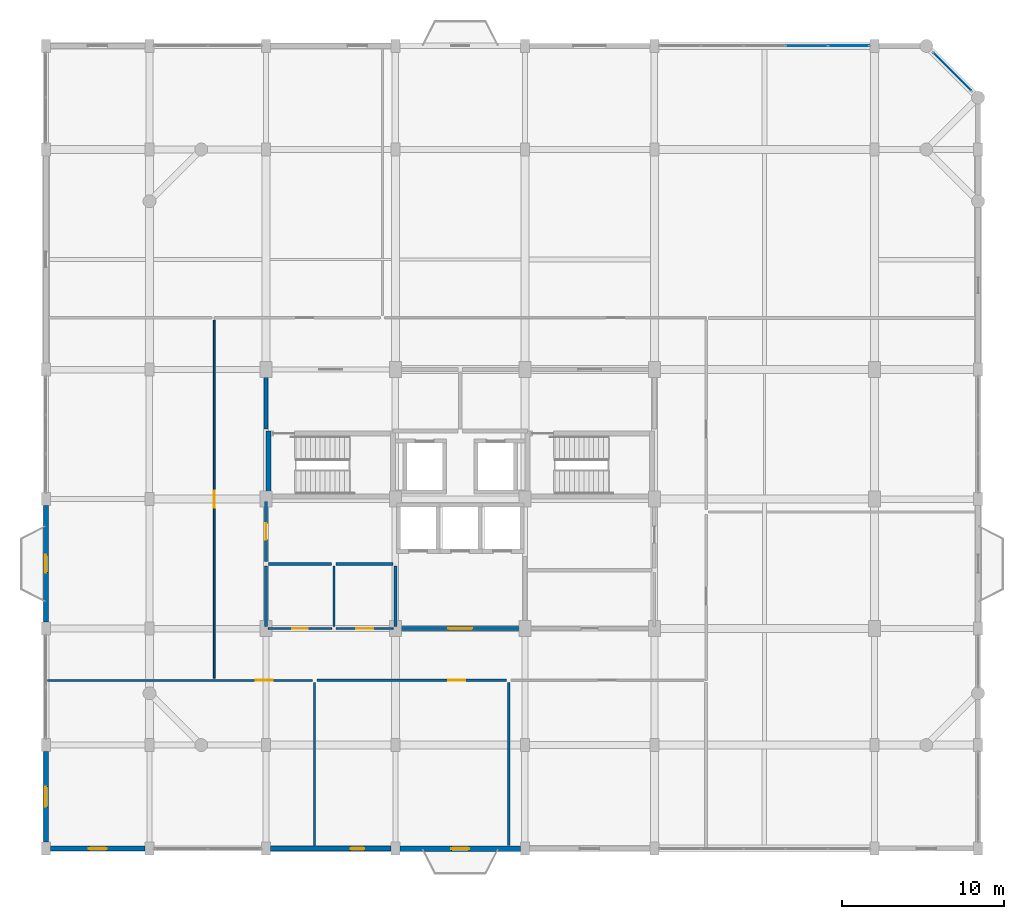
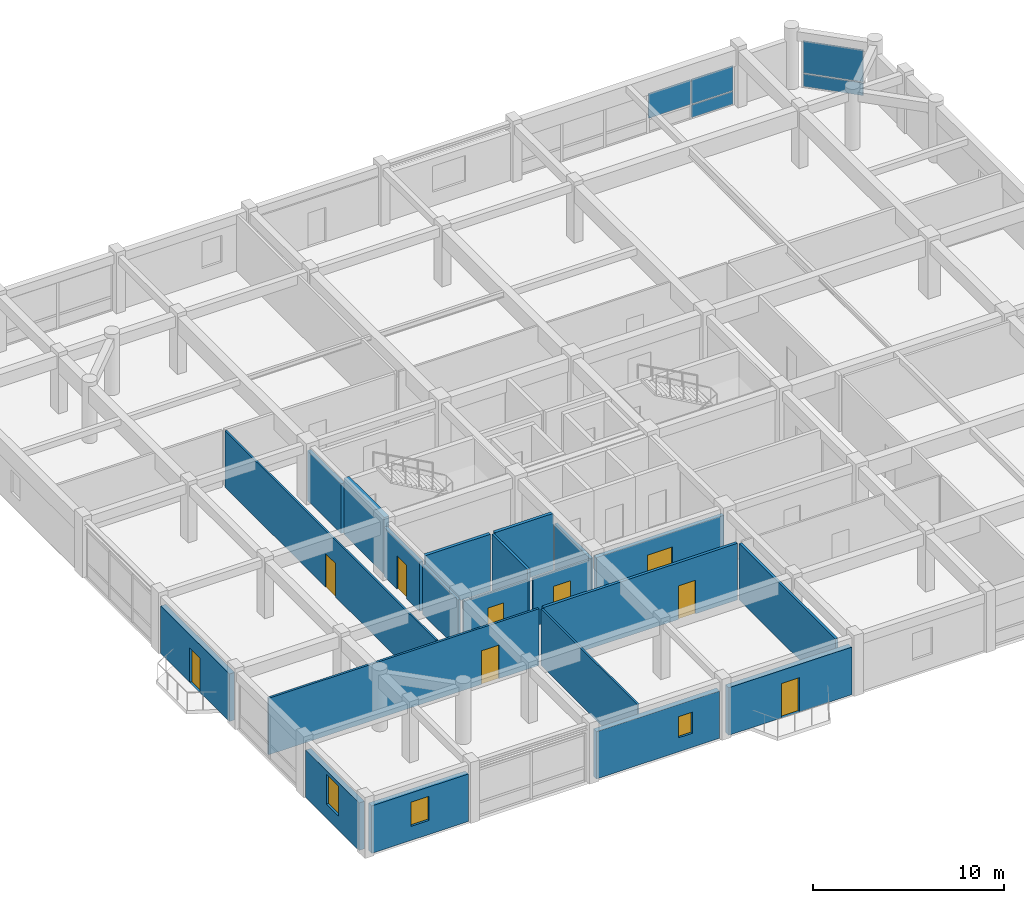
# One storey, part 11 of 15: 21 walls, 9 doors, 5 plates, 3 windows, 12 openings, 2 elements without a shape of their own.
"""IFC4 building model written with IfcOpenShell, lengths in metres."""

from ifc_helpers import new_model, si_unit, direction, frame, frame_2d, origin, origin_2d, place, context, subcontext, project, spatial, rectangle, extrude, material, layer, layer_set, type_object, element, fill, aggregate, save


model = new_model("IFC4")

# Units and contexts
model_context = context("Model", 3, precision=1e-05, world=origin(), true_north=direction((0.0, 1.0)))
body_context = subcontext(model_context, "Body", "Model", "MODEL_VIEW")
ifc_project = project(units=[si_unit("LENGTHUNIT", "METRE"), si_unit("AREAUNIT", "SQUARE_METRE"), si_unit("VOLUMEUNIT", "CUBIC_METRE"), si_unit("PLANEANGLEUNIT", "RADIAN"), si_unit("MASSUNIT", "GRAM", prefix="KILO")], contexts=[model_context])

# Site, building, storey
site_placement = place(None, origin())
site = spatial("IfcSite", under=ifc_project, at=site_placement, CompositionType="ELEMENT")
building_placement = place(site_placement, origin())
building = spatial("IfcBuilding", under=site, at=building_placement, Name="Vellmiral Cinema and Media Centre", CompositionType="ELEMENT")
storey_placement = place(building_placement, frame((0.0, 0.0, 31.699951171875)))
storey = spatial("IfcBuildingStorey", under=building, at=storey_placement, Name="L07", CompositionType="ELEMENT", Elevation=31.699951171875)

# Curtain wall, plate
ifc_material_1 = material(Name="Thermally Broken Aluminium and Triple Glazing", Category="aluminium")
curtain_wall_type = type_object("IfcCurtainWallType", Name="CW-TOWER-LOW-S", PredefinedType="USERDEFINED", material=ifc_material_1)
curtain_wall_1_placement = place(storey_placement, origin())
curtain_wall_1 = element("IfcCurtainWall", 1, at=curtain_wall_1_placement, inside=storey, type_object=curtain_wall_type, Name="Curtain Wall L07-B016", ObjectType="UNITISED CURTAIN WALL", PredefinedType="USERDEFINED")
ifc_material_2 = material(Name="Solar-Control Acoustic Triple Glazing", Category="glass")
ifc_layer_1 = layer(ifc_material_2, 0.0419921875, Name="Solar-Control Acoustic Triple Glazing")
ifc_layer_set_1 = layer_set([ifc_layer_1], Name="Solar-Control Acoustic Triple Glazing")
plate_type_1 = type_object("IfcPlateType", Name="CWP-SOLAR-42", PredefinedType="CURTAIN_PANEL", material=ifc_layer_set_1)
plate_1_placement = place(storey_placement, frame((166.39990234375, 113.60009765625, 0.9326171875), z_axis=(0.0, 0.0, 1.0), x_axis=(-0.707106781187, 0.707106781187, 0.0)))
plate_1 = element("IfcPlate", 2, at=plate_1_placement, type_object=plate_type_1, Name="CW-06 panel 1.2", PredefinedType="CURTAIN_PANEL", context=body_context, shape_type="SweptSolid", body=[
    extrude(rectangle(XDim=3.26416015625, YDim=0.0419921875, at=origin_2d()), origin(), (0.0, 0.0, 1.0), 2.04248046875),
])

# Curtain wall, plates
curtain_wall_2_placement = place(storey_placement, origin())
curtain_wall_2 = element("IfcCurtainWall", 3, at=curtain_wall_2_placement, inside=storey, type_object=curtain_wall_type, Name="Curtain Wall L07-B018", ObjectType="UNITISED CURTAIN WALL", PredefinedType="USERDEFINED")
plate_2_placement = place(storey_placement, frame((160.003662109375, 115.199951171875, 0.9326171875), z_axis=(0.0, 0.0, 1.0), x_axis=(-1.0, 0.0, 0.0)))
plate_2 = element("IfcPlate", 4, at=plate_2_placement, type_object=plate_type_1, Name="CW-06 panel 1.2", PredefinedType="CURTAIN_PANEL", context=body_context, shape_type="SweptSolid", body=[
    extrude(rectangle(XDim=2.512451171875, YDim=0.0419921875, at=origin_2d()), origin(), (0.0, 0.0, 1.0), 1.577392578125),
])
plate_3_placement = place(storey_placement, frame((157.409912109375, 115.199951171875, 0.9326171875), z_axis=(0.0, 0.0, 1.0), x_axis=(-1.0, 0.0, 0.0)))
plate_3 = element("IfcPlate", 5, at=plate_3_placement, type_object=plate_type_1, Name="CW-06 panel 2.2", PredefinedType="CURTAIN_PANEL", context=body_context, shape_type="SweptSolid", body=[
    extrude(rectangle(XDim=2.544921875, YDim=0.0419921875, at=origin_2d()), origin(), (0.0, 0.0, 1.0), 1.577392578125),
])

# Plate
ifc_material_3 = material(Name="Polychrome Trencadis Ceramic Spandrel Panel", Category="ceramic")
ifc_layer_2 = layer(ifc_material_3, 0.052001953125, Name="Polychrome Trencadis Ceramic Spandrel Panel")
ifc_layer_set_2 = layer_set([ifc_layer_2], Name="Polychrome Trencadis Ceramic Spandrel Panel")
plate_type_2 = type_object("IfcPlateType", Name="CWP-TRENC-52", PredefinedType="CURTAIN_PANEL", material=ifc_layer_set_2)
plate_4_placement = place(storey_placement, frame((166.39990234375, 113.60009765625, 0.06494140625), z_axis=(0.0, 0.0, 1.0), x_axis=(-0.707106781187, 0.707106781187, 0.0)))
plate_4 = element("IfcPlate", 6, at=plate_4_placement, type_object=plate_type_2, Name="CW-06 panel 1.1", PredefinedType="CURTAIN_PANEL", context=body_context, shape_type="SweptSolid", body=[
    extrude(rectangle(XDim=3.26416015625, YDim=0.052001953125, at=origin_2d()), origin(), (0.0, 0.0, 1.0), 0.802490234375),
])

aggregate(curtain_wall_1, [plate_4, plate_1])

plate_5_placement = place(storey_placement, frame((160.003662109375, 115.199951171875, 0.06494140625), z_axis=(0.0, 0.0, 1.0), x_axis=(-1.0, 0.0, 0.0)))
plate_5 = element("IfcPlate", 7, at=plate_5_placement, type_object=plate_type_2, Name="CW-06 panel 1.1", PredefinedType="CURTAIN_PANEL", context=body_context, shape_type="SweptSolid", body=[
    extrude(rectangle(XDim=2.512451171875, YDim=0.052001953125, at=origin_2d()), origin(), (0.0, 0.0, 1.0), 0.802490234375),
])

aggregate(curtain_wall_2, [plate_5, plate_2, plate_3])

# Wall, opening, door
ifc_material_4 = material(Name="Concrete C40/50", Category="concrete")
ifc_layer_3 = layer(ifc_material_4, 0.2099609375, Name="Concrete C40/50")
ifc_layer_set_3 = layer_set([ifc_layer_3], Name="Concrete C40/50")
wall_type_1 = type_object("IfcWallType", Name="WL-COMP-210", PredefinedType="SOLIDWALL", material=ifc_layer_set_3)
wall_1_placement = place(storey_placement, frame((124.0, 83.340087890625, 0.0), z_axis=(0.0, 0.0, 1.0), x_axis=(0.0, 1.0, 0.0)))
wall_1 = element("IfcWall", 8, at=wall_1_placement, inside=storey, type_object=wall_type_1, Name="Electrical and Telecom Riser Room Wall W", PredefinedType="SOLIDWALL", context=body_context, shape_type="SweptSolid", body=[
    extrude(rectangle(XDim=3.719970703125, YDim=0.2099609375, at=frame_2d((1.85986328125, 0.0))), origin(), (0.0, 0.0, 1.0), 3.135009765625),
])
opening_1_placement = place(wall_1_placement, frame((1.360107421875, 0.0, 0.0)))
opening_1 = element("IfcOpeningElement", 9, at=opening_1_placement, cuts=wall_1, Name="Opening D-FD30B", PredefinedType="OPENING", context=body_context, shape_type="SweptSolid", body=[
    extrude(rectangle(XDim=1.0, YDim=2.14990234375, at=frame_2d((0.5, 1.074951171875))), frame((0.0, 0.116943359375, 0.0), z_axis=(0.0, -1.0, 0.0), x_axis=(1.0, 0.0, 0.0)), (0.0, 0.0, 1.0), 0.23388671875),
])
ifc_material_5 = material(Name="Steel Riser Fire Door", Category="steel")
door_type_1 = type_object("IfcDoorType", Name="DR-FD30-1000x2150", OperationType="NOTDEFINED", PredefinedType="DOOR", material=ifc_material_5)
door_1_placement = place(opening_1_placement, frame((1.0, 0.0, 0.0), z_axis=(0.0, 0.0, 1.0), x_axis=(-1.0, 0.0, 0.0)))
door_1 = element("IfcDoor", 10, at=door_1_placement, inside=storey, type_object=door_type_1, Name="Electrical and Telecom Riser Room Door", OperationType="SINGLE_SWING_LEFT", OverallHeight=2.14990234375, OverallWidth=1.0, PredefinedType="DOOR", context=body_context, shape_type="SweptSolid", body=[
    extrude(rectangle(XDim=1.0, YDim=2.14990234375, at=frame_2d((0.5, 1.074951171875))), frame((0.0, 0.02490234375, 0.0), z_axis=(0.0, -1.0, 0.0), x_axis=(1.0, 0.0, 0.0)), (0.0, 0.0, 1.0), 0.050048828125),
])
fill(opening_1, door_1)

# Wall
ifc_material_6 = material(Name="Concrete C40/50", Category="concrete")
ifc_layer_4 = layer(ifc_material_6, 0.300048828125, Name="Concrete C40/50")
ifc_layer_set_4 = layer_set([ifc_layer_4], Name="Concrete C40/50")
wall_type_2 = type_object("IfcWallType", Name="WL-CORE-300", PredefinedType="SHEAR", material=ifc_layer_set_4)
wall_2_placement = place(storey_placement, frame((124.14990234375, 87.199951171875, 0.0), z_axis=(0.0, 0.0, 1.0), x_axis=(0.0, 1.0, 0.0)))
element("IfcWall", 11, at=wall_2_placement, inside=storey, type_object=wall_type_2, Name="Stair Core Wall ST-T1 L07-W", PredefinedType="SHEAR", context=body_context, shape_type="SweptSolid", body=[
    extrude(rectangle(XDim=4.199951171875, YDim=0.300048828125, at=frame_2d((2.10009765625, 0.0))), origin(), (0.0, 0.0, 1.0), 3.6201171875),
])

# Wall, opening, window
ifc_material_7 = material(Name="Polychrome Glazed Ceramic Cladding", Category="masonry")
ifc_layer_5 = layer(ifc_material_7, 0.320068359375, Name="Polychrome Glazed Ceramic Cladding")
ifc_layer_set_5 = layer_set([ifc_layer_5], Name="Polychrome Glazed Ceramic Cladding")
wall_type_3 = type_object("IfcWallType", Name="WL-EXT-BRICK-320", PredefinedType="SOLIDWALL", material=ifc_layer_set_5)
wall_3_placement = place(storey_placement, frame((110.675048828125, 65.60009765625, 0.0), z_axis=(0.0, 0.0, 1.0), x_axis=(1.0, 0.0, 0.0)))
wall_3 = element("IfcWall", 12, at=wall_3_placement, inside=storey, type_object=wall_type_3, Name="Exterior Facade Wall L07-001", PredefinedType="SOLIDWALL", context=body_context, shape_type="SweptSolid", body=[
    extrude(rectangle(XDim=5.849853515625, YDim=0.320068359375, at=frame_2d((2.9248046875, 0.0))), origin(), (0.0, 0.0, 1.0), 3.0400390625),
])
opening_2_placement = place(wall_3_placement, frame((2.375, 0.0, 0.89990234375)))
opening_2 = element("IfcOpeningElement", 13, at=opening_2_placement, cuts=wall_3, Name="Opening WN-11", PredefinedType="OPENING", context=body_context, shape_type="SweptSolid", body=[
    extrude(rectangle(XDim=1.10009765625, YDim=1.550048828125, at=frame_2d((0.550048828125, 0.77490234375))), frame((0.0, 0.171875, 0.0), z_axis=(0.0, -1.0, 0.0), x_axis=(1.0, 0.0, 0.0)), (0.0, 0.0, 1.0), 0.343994140625),
])
ifc_material_8 = material(Name="Thermally Broken Aluminium Triple Glazing", Category="aluminium")
window_type_1 = type_object("IfcWindowType", Name="WN-1100x1550", PartitioningType="SINGLE_PANEL", PredefinedType="WINDOW", material=ifc_material_8)
window_1_placement = place(opening_2_placement, origin())
window_1 = element("IfcWindow", 14, at=window_1_placement, inside=storey, type_object=window_type_1, Name="Window L07-001", OverallHeight=1.550048828125, OverallWidth=1.10009765625, PartitioningType="SINGLE_PANEL", PredefinedType="WINDOW", context=body_context, shape_type="SweptSolid", body=[
    extrude(rectangle(XDim=1.10009765625, YDim=1.550048828125, at=frame_2d((0.550048828125, 0.77490234375))), frame((0.0, 0.030029296875, 0.0), z_axis=(0.0, -1.0, 0.0), x_axis=(1.0, 0.0, 0.0)), (0.0, 0.0, 1.0), 0.06005859375),
])
fill(opening_2, window_1)

wall_4_placement = place(storey_placement, frame((124.27490234375, 65.60009765625, 0.0), z_axis=(0.0, 0.0, 1.0), x_axis=(1.0, 0.0, 0.0)))
wall_4 = element("IfcWall", 15, at=wall_4_placement, inside=storey, type_object=wall_type_3, Name="Exterior Facade Wall L07-003", PredefinedType="SOLIDWALL", context=body_context, shape_type="SweptSolid", body=[
    extrude(rectangle(XDim=7.4501953125, YDim=0.320068359375, at=frame_2d((3.72509765625, 0.0))), origin(), (0.0, 0.0, 1.0), 3.025146484375),
])
opening_3_placement = place(wall_4_placement, frame((4.949951171875, 0.0, 0.89990234375)))
opening_3 = element("IfcOpeningElement", 16, at=opening_3_placement, cuts=wall_4, Name="Opening WN-13", PredefinedType="OPENING", context=body_context, shape_type="SweptSolid", body=[
    extrude(rectangle(XDim=0.85009765625, YDim=1.35009765625, at=frame_2d((0.425048828125, 0.675048828125))), frame((0.0, 0.171875, 0.0), z_axis=(0.0, -1.0, 0.0), x_axis=(1.0, 0.0, 0.0)), (0.0, 0.0, 1.0), 0.343994140625),
])
ifc_material_9 = material(Name="Thermally Broken Aluminium Triple Glazing", Category="aluminium")
window_type_2 = type_object("IfcWindowType", Name="WN-0850x1350", PartitioningType="SINGLE_PANEL", PredefinedType="WINDOW", material=ifc_material_9)
window_2_placement = place(opening_3_placement, origin())
window_2 = element("IfcWindow", 17, at=window_2_placement, inside=storey, type_object=window_type_2, Name="Window L07-003", OverallHeight=1.35009765625, OverallWidth=0.85009765625, PartitioningType="SINGLE_PANEL", PredefinedType="WINDOW", context=body_context, shape_type="SweptSolid", body=[
    extrude(rectangle(XDim=0.85009765625, YDim=1.35009765625, at=frame_2d((0.425048828125, 0.675048828125))), frame((0.0, 0.030029296875, 0.0), z_axis=(0.0, -1.0, 0.0), x_axis=(1.0, 0.0, 0.0)), (0.0, 0.0, 1.0), 0.06005859375),
])
fill(opening_3, window_2)

# Wall, opening, door
wall_5_placement = place(storey_placement, frame((110.39990234375, 86.800048828125, 0.0), z_axis=(0.0, 0.0, 1.0), x_axis=(0.0, -1.0, 0.0)))
wall_5 = element("IfcWall", 18, at=wall_5_placement, inside=storey, type_object=wall_type_3, Name="Exterior Facade Wall L07-027", PredefinedType="SOLIDWALL", context=body_context, shape_type="SweptSolid", body=[
    extrude(rectangle(XDim=7.199951171875, YDim=0.320068359375, at=frame_2d((3.60009765625, 0.0))), origin(), (0.0, 0.0, 1.0), 3.0400390625),
])
opening_4_placement = place(wall_5_placement, frame((3.050048828125, 0.0, 0.0)))
opening_4 = element("IfcOpeningElement", 19, at=opening_4_placement, cuts=wall_5, Name="Opening DE-06", PredefinedType="OPENING", context=body_context, shape_type="SweptSolid", body=[
    extrude(rectangle(XDim=1.10009765625, YDim=2.199951171875, at=frame_2d((0.550048828125, 1.10009765625))), frame((0.0, 0.171875, 0.0), z_axis=(0.0, -1.0, 0.0), x_axis=(1.0, 0.0, 0.0)), (0.0, 0.0, 1.0), 0.343994140625),
])
ifc_material_10 = material(Name="Thermally Broken Glazed Aluminium and Bronze Door", Category="aluminium")
door_type_2 = type_object("IfcDoorType", Name="DR-MIRA-1100x2200", OperationType="NOTDEFINED", PredefinedType="DOOR", material=ifc_material_10)
door_2_placement = place(opening_4_placement, frame((1.10009765625, 0.0, 0.0), z_axis=(0.0, 0.0, 1.0), x_axis=(-1.0, 0.0, 0.0)))
door_2 = element("IfcDoor", 20, at=door_2_placement, inside=storey, type_object=door_type_2, Name="Mirador Balcony Door L07-W", OperationType="SINGLE_SWING_LEFT", OverallHeight=2.199951171875, OverallWidth=1.10009765625, PredefinedType="DOOR", context=body_context, shape_type="SweptSolid", body=[
    extrude(rectangle(XDim=1.10009765625, YDim=2.199951171875, at=frame_2d((0.550048828125, 1.10009765625))), frame((0.0, 0.02490234375, 0.0), z_axis=(0.0, -1.0, 0.0), x_axis=(1.0, 0.0, 0.0)), (0.0, 0.0, 1.0), 0.050048828125),
])
fill(opening_4, door_2)

# Wall, opening, window
wall_6_placement = place(storey_placement, frame((110.39990234375, 71.60009765625, 0.0), z_axis=(0.0, 0.0, 1.0), x_axis=(0.0, -1.0, 0.0)))
wall_6 = element("IfcWall", 21, at=wall_6_placement, inside=storey, type_object=wall_type_3, Name="Exterior Facade Wall L07-029", PredefinedType="SOLIDWALL", context=body_context, shape_type="SweptSolid", body=[
    extrude(rectangle(XDim=5.60009765625, YDim=0.320068359375, at=frame_2d((2.800048828125, 0.0))), origin(), (0.0, 0.0, 1.0), 3.0400390625),
])
opening_5_placement = place(wall_6_placement, frame((2.175048828125, 0.0, 0.89990234375)))
opening_5 = element("IfcOpeningElement", 22, at=opening_5_placement, cuts=wall_6, Name="Opening WN-09", PredefinedType="OPENING", context=body_context, shape_type="SweptSolid", body=[
    extrude(rectangle(XDim=1.25, YDim=1.89990234375, at=frame_2d((0.625, 0.949951171875))), frame((0.0, 0.171875, 0.0), z_axis=(0.0, -1.0, 0.0), x_axis=(1.0, 0.0, 0.0)), (0.0, 0.0, 1.0), 0.343994140625),
])
ifc_material_11 = material(Name="Thermally Broken Aluminium Triple Glazing", Category="aluminium")
window_type_3 = type_object("IfcWindowType", Name="WN-1250x1900", PartitioningType="SINGLE_PANEL", PredefinedType="WINDOW", material=ifc_material_11)
window_3_placement = place(opening_5_placement, origin())
window_3 = element("IfcWindow", 23, at=window_3_placement, inside=storey, type_object=window_type_3, Name="Window L07-029", OverallHeight=1.89990234375, OverallWidth=1.25, PartitioningType="SINGLE_PANEL", PredefinedType="WINDOW", context=body_context, shape_type="SweptSolid", body=[
    extrude(rectangle(XDim=1.25, YDim=1.89990234375, at=frame_2d((0.625, 0.949951171875))), frame((0.0, 0.030029296875, 0.0), z_axis=(0.0, -1.0, 0.0), x_axis=(1.0, 0.0, 0.0)), (0.0, 0.0, 1.0), 0.06005859375),
])
fill(opening_5, window_3)

# Wall, opening, door
ifc_material_12 = material(Name="Vosges Red Sandstone Masonry", Category="masonry")
ifc_layer_6 = layer(ifc_material_12, 0.340087890625, Name="Vosges Red Sandstone Masonry")
ifc_layer_set_6 = layer_set([ifc_layer_6], Name="Vosges Red Sandstone Masonry")
wall_type_4 = type_object("IfcWallType", Name="WL-EXT-SAND-340", PredefinedType="SOLIDWALL", material=ifc_layer_set_6)
wall_7_placement = place(storey_placement, frame((132.27490234375, 65.60009765625, 0.0), z_axis=(0.0, 0.0, 1.0), x_axis=(1.0, 0.0, 0.0)))
wall_7 = element("IfcWall", 24, at=wall_7_placement, inside=storey, type_object=wall_type_4, Name="Exterior Facade Wall L07-004", PredefinedType="SOLIDWALL", context=body_context, shape_type="SweptSolid", body=[
    extrude(rectangle(XDim=7.4501953125, YDim=0.340087890625, at=frame_2d((3.72509765625, 0.0))), origin(), (0.0, 0.0, 1.0), 3.0400390625),
])
opening_6_placement = place(wall_7_placement, frame((3.175048828125, 0.0, 0.0)))
opening_6 = element("IfcOpeningElement", 25, at=opening_6_placement, cuts=wall_7, Name="Opening DE-06", PredefinedType="OPENING", context=body_context, shape_type="SweptSolid", body=[
    extrude(rectangle(XDim=1.10009765625, YDim=2.199951171875, at=frame_2d((0.550048828125, 1.10009765625))), frame((0.0, 0.18212890625, 0.0), z_axis=(0.0, -1.0, 0.0), x_axis=(1.0, 0.0, 0.0)), (0.0, 0.0, 1.0), 0.364013671875),
])
door_3_placement = place(opening_6_placement, frame((1.10009765625, 0.0, 0.0), z_axis=(0.0, 0.0, 1.0), x_axis=(-1.0, 0.0, 0.0)))
door_3 = element("IfcDoor", 26, at=door_3_placement, inside=storey, type_object=door_type_2, Name="Mirador Balcony Door L07-S", OperationType="SINGLE_SWING_RIGHT", OverallHeight=2.199951171875, OverallWidth=1.10009765625, PredefinedType="DOOR", context=body_context, shape_type="SweptSolid", body=[
    extrude(rectangle(XDim=1.10009765625, YDim=2.199951171875, at=frame_2d((0.550048828125, 1.10009765625))), frame((0.0, 0.02490234375, 0.0), z_axis=(0.0, -1.0, 0.0), x_axis=(1.0, 0.0, 0.0)), (0.0, 0.0, 1.0), 0.050048828125),
])
fill(opening_6, door_3)

# Wall
ifc_material_13 = material(Name="Concrete C40/50", Category="concrete")
ifc_layer_7 = layer(ifc_material_13, 0.22998046875, Name="Concrete C40/50")
ifc_layer_set_7 = layer_set([ifc_layer_7], Name="Concrete C40/50")
wall_type_5 = type_object("IfcWallType", Name="WL-FFL-230", PredefinedType="SOLIDWALL", material=ifc_layer_set_7)
wall_8_placement = place(storey_placement, frame((124.0, 91.5400390625, 0.0), z_axis=(0.0, 0.0, 1.0), x_axis=(0.0, 1.0, 0.0)))
element("IfcWall", 27, at=wall_8_placement, inside=storey, type_object=wall_type_5, Name="Firefighting Lobby West Wall W", PredefinedType="SOLIDWALL", context=body_context, shape_type="SweptSolid", body=[
    extrude(rectangle(XDim=3.52001953125, YDim=0.22998046875, at=frame_2d((1.760009765625, 0.0))), origin(), (0.0, 0.0, 1.0), 3.18505859375),
])

# Wall, opening, door
wall_9_placement = place(storey_placement, frame((132.139892578125, 79.199951171875, 0.0), z_axis=(0.0, 0.0, 1.0), x_axis=(1.0, 0.0, 0.0)))
wall_9 = element("IfcWall", 28, at=wall_9_placement, inside=storey, type_object=wall_type_5, Name="Tower Passenger Lift Lobby Wall S", PredefinedType="SOLIDWALL", context=body_context, shape_type="SweptSolid", body=[
    extrude(rectangle(XDim=7.72021484375, YDim=0.22998046875, at=frame_2d((3.860107421875, 0.0))), origin(), (0.0, 0.0, 1.0), 3.135009765625),
])
opening_7_placement = place(wall_9_placement, frame((3.110107421875, 0.0, 0.0)))
opening_7 = element("IfcOpeningElement", 29, at=opening_7_placement, cuts=wall_9, Name="Opening D-FD30", PredefinedType="OPENING", context=body_context, shape_type="SweptSolid", body=[
    extrude(rectangle(XDim=1.5, YDim=2.199951171875, at=frame_2d((0.75, 1.10009765625))), frame((0.0, 0.126953125, 0.0), z_axis=(0.0, -1.0, 0.0), x_axis=(1.0, 0.0, 0.0)), (0.0, 0.0, 1.0), 0.25390625),
])
ifc_material_14 = material(Name="Timber-Core Fire Door", Category="wood")
door_type_3 = type_object("IfcDoorType", Name="DR-FD30-1500x2200", OperationType="DOUBLE_DOOR_SINGLE_SWING", PredefinedType="DOOR", material=ifc_material_14)
door_4_placement = place(opening_7_placement, frame((1.5, 0.0, 0.0), z_axis=(0.0, 0.0, 1.0), x_axis=(-1.0, 0.0, 0.0)))
door_4 = element("IfcDoor", 30, at=door_4_placement, inside=storey, type_object=door_type_3, Name="Tower Passenger Lift Lobby Door", OperationType="DOUBLE_DOOR_SINGLE_SWING", OverallHeight=2.199951171875, OverallWidth=1.5, PredefinedType="DOOR", context=body_context, shape_type="SweptSolid", body=[
    extrude(rectangle(XDim=1.5, YDim=2.199951171875, at=frame_2d((0.75, 1.10009765625))), frame((0.0, 0.02490234375, 0.0), z_axis=(0.0, -1.0, 0.0), x_axis=(1.0, 0.0, 0.0)), (0.0, 0.0, 1.0), 0.050048828125),
])
fill(opening_7, door_4)

ifc_material_15 = material(Name="Gypsum Plasterboard")
ifc_layer_8 = layer(ifc_material_15, 0.02490234375, Name="Gypsum Plasterboard", Category="gypsum")
ifc_material_16 = material(Name="Mineral Wool Acoustic Insulation", Category="insulation")
ifc_layer_9 = layer(ifc_material_16, 0.06005859375, Name="Mineral Wool Acoustic Insulation", Category="insulation")
ifc_layer_10 = layer(ifc_material_15, 0.02490234375, Name="Gypsum Plasterboard", Category="gypsum")
ifc_layer_set_8 = layer_set([ifc_layer_8, ifc_layer_9, ifc_layer_10], Name="Gypsum Plasterboard")
wall_type_6 = type_object("IfcWallType", Name="WL-PART-110", PredefinedType="PARTITIONING", material=ifc_layer_set_8)
wall_10_placement = place(storey_placement, frame((124.139892578125, 79.199951171875, 0.0), z_axis=(0.0, 0.0, 1.0), x_axis=(1.0, 0.0, 0.0)))
wall_10 = element("IfcWall", 31, at=wall_10_placement, inside=storey, type_object=wall_type_6, Name="Staff WC Wall S", PredefinedType="PARTITIONING", context=body_context, shape_type="SweptSolid", body=[
    extrude(rectangle(XDim=3.920166015625, YDim=0.110107421875, at=frame_2d((1.9599609375, 0.0))), origin(), (0.0, 0.0, 1.0), 3.0849609375),
])
opening_8_placement = place(wall_10_placement, frame((1.485107421875, 0.0, 0.0)))
opening_8 = element("IfcOpeningElement", 32, at=opening_8_placement, cuts=wall_10, Name="Opening D-I09", PredefinedType="OPENING", context=body_context, shape_type="SweptSolid", body=[
    extrude(rectangle(XDim=0.949951171875, YDim=2.14990234375, at=frame_2d((0.47509765625, 1.074951171875))), frame((0.0, 0.06689453125, 0.0), z_axis=(0.0, -1.0, 0.0), x_axis=(1.0, 0.0, 0.0)), (0.0, 0.0, 1.0), 0.134033203125),
])
ifc_material_17 = material(Name="Moisture-Resistant Timber Door", Category="wood")
door_type_4 = type_object("IfcDoorType", Name="DR-INT-950x2150", OperationType="NOTDEFINED", PredefinedType="DOOR", material=ifc_material_17)
door_5_placement = place(opening_8_placement, origin())
door_5 = element("IfcDoor", 33, at=door_5_placement, inside=storey, type_object=door_type_4, Name="Staff WC Door", OperationType="SINGLE_SWING_LEFT", OverallHeight=2.14990234375, OverallWidth=0.949951171875, PredefinedType="DOOR", context=body_context, shape_type="SweptSolid", body=[
    extrude(rectangle(XDim=0.949951171875, YDim=2.14990234375, at=frame_2d((0.47509765625, 1.074951171875))), frame((0.0, 0.02490234375, 0.0), z_axis=(0.0, -1.0, 0.0), x_axis=(1.0, 0.0, 0.0)), (0.0, 0.0, 1.0), 0.050048828125),
])
fill(opening_8, door_5)

wall_11_placement = place(storey_placement, frame((128.340087890625, 79.199951171875, 0.0), z_axis=(0.0, 0.0, 1.0), x_axis=(1.0, 0.0, 0.0)))
wall_11 = element("IfcWall", 34, at=wall_11_placement, inside=storey, type_object=wall_type_6, Name="Accessible WC Wall S", PredefinedType="PARTITIONING", context=body_context, shape_type="SweptSolid", body=[
    extrude(rectangle(XDim=3.52001953125, YDim=0.110107421875, at=frame_2d((1.760009765625, 0.0))), origin(), (0.0, 0.0, 1.0), 3.0849609375),
])
opening_9_placement = place(wall_11_placement, frame((1.235107421875, 0.0, 0.0)))
opening_9 = element("IfcOpeningElement", 35, at=opening_9_placement, cuts=wall_11, Name="Opening D-I10", PredefinedType="OPENING", context=body_context, shape_type="SweptSolid", body=[
    extrude(rectangle(XDim=1.050048828125, YDim=2.14990234375, at=frame_2d((0.52490234375, 1.074951171875))), frame((0.0, 0.06689453125, 0.0), z_axis=(0.0, -1.0, 0.0), x_axis=(1.0, 0.0, 0.0)), (0.0, 0.0, 1.0), 0.134033203125),
])
ifc_material_18 = material(Name="Barrier-Free Timber Door", Category="wood")
door_type_5 = type_object("IfcDoorType", Name="DR-ACC-1050x2150", OperationType="NOTDEFINED", PredefinedType="DOOR", material=ifc_material_18)
door_6_placement = place(opening_9_placement, origin())
door_6 = element("IfcDoor", 36, at=door_6_placement, inside=storey, type_object=door_type_5, Name="Accessible WC Door", OperationType="SINGLE_SWING_RIGHT", OverallHeight=2.14990234375, OverallWidth=1.050048828125, PredefinedType="DOOR", context=body_context, shape_type="SweptSolid", body=[
    extrude(rectangle(XDim=1.050048828125, YDim=2.14990234375, at=frame_2d((0.52490234375, 1.074951171875))), frame((0.0, 0.02490234375, 0.0), z_axis=(0.0, -1.0, 0.0), x_axis=(1.0, 0.0, 0.0)), (0.0, 0.0, 1.0), 0.050048828125),
])
fill(opening_9, door_6)

# Wall
wall_12_placement = place(storey_placement, frame((127.0, 65.77490234375, 0.0), z_axis=(0.0, 0.0, 1.0), x_axis=(0.0, 1.0, 0.0)))
element("IfcWall", 37, at=wall_12_placement, inside=storey, type_object=wall_type_6, Name="VFX Cellular Suite 01 Wall E", PredefinedType="PARTITIONING", context=body_context, shape_type="SweptSolid", body=[
    extrude(rectangle(XDim=10.085205078125, YDim=0.110107421875, at=frame_2d((5.04248046875, 0.0))), origin(), (0.0, 0.0, 1.0), 3.6201171875),
])

# Wall, opening, door
wall_13_placement = place(storey_placement, frame((120.800048828125, 76.139892578125, 0.0), z_axis=(0.0, 0.0, 1.0), x_axis=(0.0, 1.0, 0.0)))
wall_13 = element("IfcWall", 38, at=wall_13_placement, inside=storey, type_object=wall_type_6, Name="West VFX Production Office Wall E", PredefinedType="PARTITIONING", context=body_context, shape_type="SweptSolid", body=[
    extrude(rectangle(XDim=22.1201171875, YDim=0.110107421875, at=frame_2d((11.06005859375, 0.0))), origin(), (0.0, 0.0, 1.0), 3.6201171875),
])
opening_10_placement = place(wall_13_placement, frame((10.534912109375, 0.0, 0.0)))
opening_10 = element("IfcOpeningElement", 39, at=opening_10_placement, cuts=wall_13, Name="Opening D-I07", PredefinedType="OPENING", context=body_context, shape_type="SweptSolid", body=[
    extrude(rectangle(XDim=1.050048828125, YDim=2.14990234375, at=frame_2d((0.52490234375, 1.074951171875))), frame((0.0, 0.06689453125, 0.0), z_axis=(0.0, -1.0, 0.0), x_axis=(1.0, 0.0, 0.0)), (0.0, 0.0, 1.0), 0.134033203125),
])
ifc_material_19 = material(Name="Laminated Timber Door", Category="wood")
door_type_6 = type_object("IfcDoorType", Name="DR-INT-1050x2150", OperationType="NOTDEFINED", PredefinedType="DOOR", material=ifc_material_19)
door_7_placement = place(opening_10_placement, origin())
door_7 = element("IfcDoor", 40, at=door_7_placement, inside=storey, type_object=door_type_6, Name="West VFX Production Office Door", OperationType="SINGLE_SWING_RIGHT", OverallHeight=2.14990234375, OverallWidth=1.050048828125, PredefinedType="DOOR", context=body_context, shape_type="SweptSolid", body=[
    extrude(rectangle(XDim=1.050048828125, YDim=2.14990234375, at=frame_2d((0.52490234375, 1.074951171875))), frame((0.0, 0.02490234375, 0.0), z_axis=(0.0, -1.0, 0.0), x_axis=(1.0, 0.0, 0.0)), (0.0, 0.0, 1.0), 0.050048828125),
])
fill(opening_10, door_7)

ifc_material_20 = material(Name="Gypsum Plasterboard")
ifc_layer_11 = layer(ifc_material_20, 0.02490234375, Name="Gypsum Plasterboard", Category="gypsum")
ifc_material_21 = material(Name="Mineral Wool Acoustic Insulation", Category="insulation")
ifc_layer_12 = layer(ifc_material_21, 0.080078125, Name="Mineral Wool Acoustic Insulation", Category="insulation")
ifc_layer_13 = layer(ifc_material_20, 0.02490234375, Name="Gypsum Plasterboard", Category="gypsum")
ifc_layer_set_9 = layer_set([ifc_layer_11, ifc_layer_12, ifc_layer_13], Name="Gypsum Plasterboard")
wall_type_7 = type_object("IfcWallType", Name="WL-PART-130", PredefinedType="PARTITIONING", material=ifc_layer_set_9)
wall_14_placement = place(storey_placement, frame((110.4951171875, 76.0, 0.0), z_axis=(0.0, 0.0, 1.0), x_axis=(1.0, 0.0, 0.0)))
wall_14 = element("IfcWall", 41, at=wall_14_placement, inside=storey, type_object=wall_type_7, Name="VFX Cellular Suite 01 Wall N", PredefinedType="PARTITIONING", context=body_context, shape_type="SweptSolid", body=[
    extrude(rectangle(XDim=16.364990234375, YDim=0.1298828125, at=frame_2d((8.1826171875, 0.0))), origin(), (0.0, 0.0, 1.0), 3.6201171875),
])
opening_11_placement = place(wall_14_placement, frame((12.8798828125, 0.0, 0.0)))
opening_11 = element("IfcOpeningElement", 42, at=opening_11_placement, cuts=wall_14, Name="Opening D-I07", PredefinedType="OPENING", context=body_context, shape_type="SweptSolid", body=[
    extrude(rectangle(XDim=1.050048828125, YDim=2.14990234375, at=frame_2d((0.52490234375, 1.074951171875))), frame((0.0, 0.076904296875, 0.0), z_axis=(0.0, -1.0, 0.0), x_axis=(1.0, 0.0, 0.0)), (0.0, 0.0, 1.0), 0.15380859375),
])
door_8_placement = place(opening_11_placement, frame((1.050048828125, 0.0, 0.0), z_axis=(0.0, 0.0, 1.0), x_axis=(-1.0, 0.0, 0.0)))
door_8 = element("IfcDoor", 43, at=door_8_placement, inside=storey, type_object=door_type_6, Name="VFX Cellular Suite 01 Door", OperationType="SINGLE_SWING_LEFT", OverallHeight=2.14990234375, OverallWidth=1.050048828125, PredefinedType="DOOR", context=body_context, shape_type="SweptSolid", body=[
    extrude(rectangle(XDim=1.050048828125, YDim=2.14990234375, at=frame_2d((0.52490234375, 1.074951171875))), frame((0.0, 0.02490234375, 0.0), z_axis=(0.0, -1.0, 0.0), x_axis=(1.0, 0.0, 0.0)), (0.0, 0.0, 1.0), 0.050048828125),
])
fill(opening_11, door_8)

# Walls
ifc_material_22 = material(Name="Gypsum Plasterboard")
ifc_layer_14 = layer(ifc_material_22, 0.02490234375, Name="Gypsum Plasterboard", Category="gypsum")
ifc_material_23 = material(Name="Mineral Wool Acoustic Insulation", Category="insulation")
ifc_layer_15 = layer(ifc_material_23, 0.10009765625, Name="Mineral Wool Acoustic Insulation", Category="insulation")
ifc_layer_16 = layer(ifc_material_22, 0.02490234375, Name="Gypsum Plasterboard", Category="gypsum")
ifc_layer_set_10 = layer_set([ifc_layer_14, ifc_layer_15, ifc_layer_16], Name="Gypsum Plasterboard")
wall_type_8 = type_object("IfcWallType", Name="WL-PART-150", PredefinedType="PARTITIONING", material=ifc_layer_set_10)
wall_15_placement = place(storey_placement, frame((128.199951171875, 79.340087890625, 0.0), z_axis=(0.0, 0.0, 1.0), x_axis=(0.0, 1.0, 0.0)))
element("IfcWall", 44, at=wall_15_placement, inside=storey, type_object=wall_type_8, Name="Staff WC Wall E", PredefinedType="PARTITIONING", context=body_context, shape_type="SweptSolid", body=[
    extrude(rectangle(XDim=3.719970703125, YDim=0.14990234375, at=frame_2d((1.85986328125, 0.0))), origin(), (0.0, 0.0, 1.0), 3.6201171875),
])
wall_16_placement = place(storey_placement, frame((139.0, 65.784912109375, 0.0), z_axis=(0.0, 0.0, 1.0), x_axis=(0.0, 1.0, 0.0)))
element("IfcWall", 45, at=wall_16_placement, inside=storey, type_object=wall_type_8, Name="VFX Cellular Suite 02 Wall E", PredefinedType="PARTITIONING", context=body_context, shape_type="SweptSolid", body=[
    extrude(rectangle(XDim=10.0751953125, YDim=0.14990234375, at=frame_2d((5.03759765625, 0.0))), origin(), (0.0, 0.0, 1.0), 3.6201171875),
])
ifc_material_24 = material(Name="Gypsum Plasterboard")
ifc_layer_17 = layer(ifc_material_24, 0.02490234375, Name="Gypsum Plasterboard", Category="gypsum")
ifc_material_25 = material(Name="Mineral Wool Acoustic Insulation", Category="insulation")
ifc_layer_18 = layer(ifc_material_25, 0.1201171875, Name="Mineral Wool Acoustic Insulation", Category="insulation")
ifc_layer_19 = layer(ifc_material_24, 0.02490234375, Name="Gypsum Plasterboard", Category="gypsum")
ifc_layer_set_11 = layer_set([ifc_layer_17, ifc_layer_18, ifc_layer_19], Name="Gypsum Plasterboard")
wall_type_9 = type_object("IfcWallType", Name="WL-PART-170", PredefinedType="PARTITIONING", material=ifc_layer_set_11)
wall_17_placement = place(storey_placement, frame((124.0, 79.340087890625, 0.0), z_axis=(0.0, 0.0, 1.0), x_axis=(0.0, 1.0, 0.0)))
element("IfcWall", 46, at=wall_17_placement, inside=storey, type_object=wall_type_9, Name="Staff WC Wall W", PredefinedType="PARTITIONING", context=body_context, shape_type="SweptSolid", body=[
    extrude(rectangle(XDim=3.719970703125, YDim=0.169921875, at=frame_2d((1.85986328125, 0.0))), origin(), (0.0, 0.0, 1.0), 3.135009765625),
])
wall_18_placement = place(storey_placement, frame((132.0, 79.340087890625, 0.0), z_axis=(0.0, 0.0, 1.0), x_axis=(0.0, 1.0, 0.0)))
element("IfcWall", 47, at=wall_18_placement, inside=storey, type_object=wall_type_9, Name="Accessible WC Wall E", PredefinedType="PARTITIONING", context=body_context, shape_type="SweptSolid", body=[
    extrude(rectangle(XDim=3.719970703125, YDim=0.169921875, at=frame_2d((1.85986328125, 0.0))), origin(), (0.0, 0.0, 1.0), 2.985107421875),
])

# Wall, opening, door
wall_19_placement = place(storey_placement, frame((127.139892578125, 76.0, 0.0), z_axis=(0.0, 0.0, 1.0), x_axis=(1.0, 0.0, 0.0)))
wall_19 = element("IfcWall", 48, at=wall_19_placement, inside=storey, type_object=wall_type_9, Name="VFX Cellular Suite 02 Wall N", PredefinedType="PARTITIONING", context=body_context, shape_type="SweptSolid", body=[
    extrude(rectangle(XDim=11.72021484375, YDim=0.169921875, at=frame_2d((5.860107421875, 0.0))), origin(), (0.0, 0.0, 1.0), 3.6201171875),
])
opening_12_placement = place(wall_19_placement, frame((8.135009765625, 0.0, 0.0)))
opening_12 = element("IfcOpeningElement", 49, at=opening_12_placement, cuts=wall_19, Name="Opening D-I07", PredefinedType="OPENING", context=body_context, shape_type="SweptSolid", body=[
    extrude(rectangle(XDim=1.050048828125, YDim=2.14990234375, at=frame_2d((0.52490234375, 1.074951171875))), frame((0.0, 0.096923828125, 0.0), z_axis=(0.0, -1.0, 0.0), x_axis=(1.0, 0.0, 0.0)), (0.0, 0.0, 1.0), 0.19384765625),
])
door_9_placement = place(opening_12_placement, frame((1.050048828125, 0.0, 0.0), z_axis=(0.0, 0.0, 1.0), x_axis=(-1.0, 0.0, 0.0)))
door_9 = element("IfcDoor", 50, at=door_9_placement, inside=storey, type_object=door_type_6, Name="VFX Cellular Suite 02 Door", OperationType="SINGLE_SWING_LEFT", OverallHeight=2.14990234375, OverallWidth=1.050048828125, PredefinedType="DOOR", context=body_context, shape_type="SweptSolid", body=[
    extrude(rectangle(XDim=1.050048828125, YDim=2.14990234375, at=frame_2d((0.52490234375, 1.074951171875))), frame((0.0, 0.02490234375, 0.0), z_axis=(0.0, -1.0, 0.0), x_axis=(1.0, 0.0, 0.0)), (0.0, 0.0, 1.0), 0.050048828125),
])
fill(opening_12, door_9)

# Walls
ifc_material_26 = material(Name="Gypsum Plasterboard")
ifc_layer_20 = layer(ifc_material_26, 0.02490234375, Name="Gypsum Plasterboard", Category="gypsum")
ifc_material_27 = material(Name="Mineral Wool Acoustic Insulation", Category="insulation")
ifc_layer_21 = layer(ifc_material_27, 0.139892578125, Name="Mineral Wool Acoustic Insulation", Category="insulation")
ifc_layer_22 = layer(ifc_material_26, 0.02490234375, Name="Gypsum Plasterboard", Category="gypsum")
ifc_layer_set_12 = layer_set([ifc_layer_20, ifc_layer_21, ifc_layer_22], Name="Gypsum Plasterboard")
wall_type_10 = type_object("IfcWallType", Name="WL-PART-190", PredefinedType="PARTITIONING", material=ifc_layer_set_12)
wall_20_placement = place(storey_placement, frame((124.139892578125, 83.199951171875, 0.0), z_axis=(0.0, 0.0, 1.0), x_axis=(1.0, 0.0, 0.0)))
element("IfcWall", 51, at=wall_20_placement, inside=storey, type_object=wall_type_10, Name="Staff WC Wall N", PredefinedType="PARTITIONING", context=body_context, shape_type="SweptSolid", body=[
    extrude(rectangle(XDim=3.920166015625, YDim=0.18994140625, at=frame_2d((1.9599609375, 0.0))), origin(), (0.0, 0.0, 1.0), 3.6201171875),
])
wall_21_placement = place(storey_placement, frame((128.340087890625, 83.199951171875, 0.0), z_axis=(0.0, 0.0, 1.0), x_axis=(1.0, 0.0, 0.0)))
element("IfcWall", 52, at=wall_21_placement, inside=storey, type_object=wall_type_10, Name="Accessible WC Wall N", PredefinedType="PARTITIONING", context=body_context, shape_type="SweptSolid", body=[
    extrude(rectangle(XDim=3.52001953125, YDim=0.18994140625, at=frame_2d((1.760009765625, 0.0))), origin(), (0.0, 0.0, 1.0), 3.6201171875),
])

save(model, "model.ifc")
